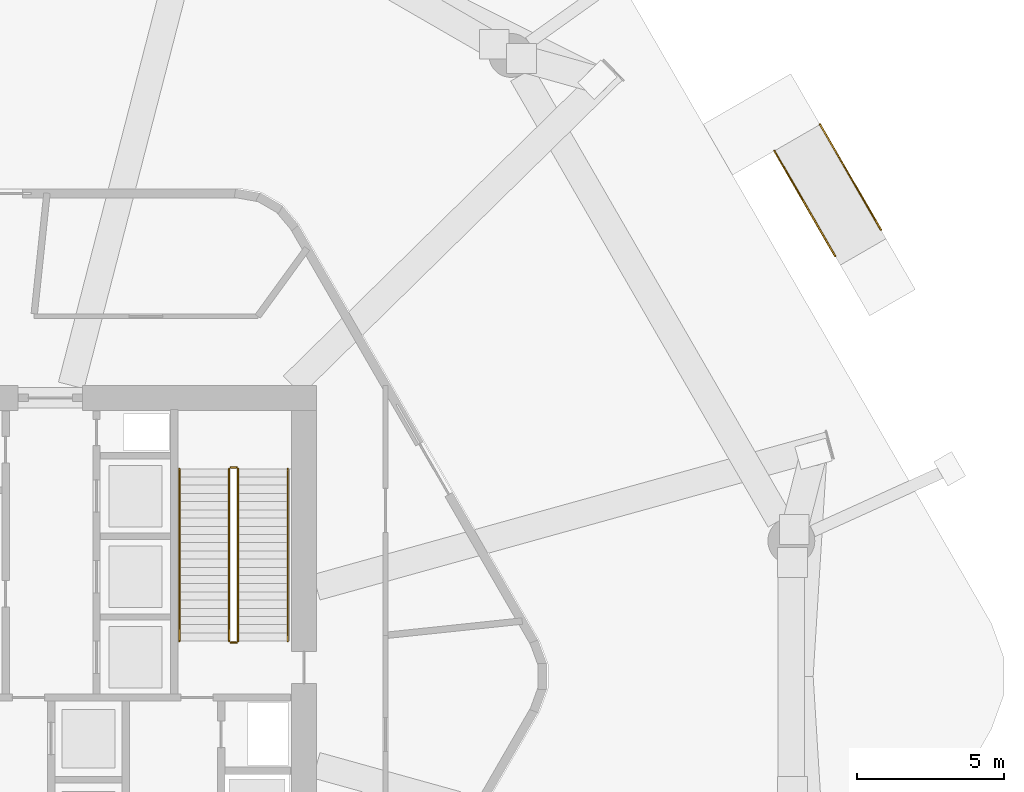
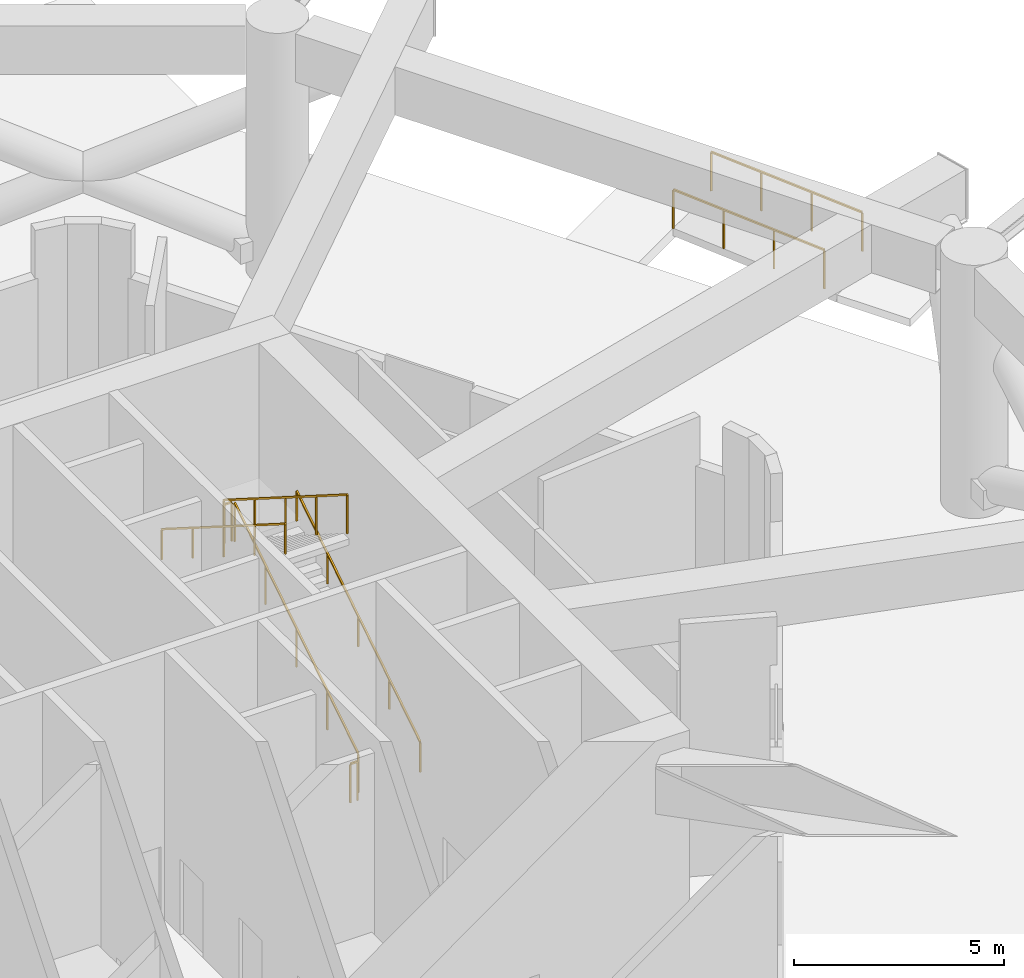
# One storey, part 15 of 17: 8 railings.
"""IFC4 building model written with IfcOpenShell, lengths in metres."""

from ifc_helpers import new_model, si_unit, direction, frame, origin, origin_2d, place, context, subcontext, project, spatial, rectangle, extrude, material, type_object, element, save


model = new_model("IFC4")

# Units and contexts
model_context = context("Model", 3, precision=1e-05, world=origin(), true_north=direction((0.0, 1.0)))
body_context = subcontext(model_context, "Body", "Model", "MODEL_VIEW")
ifc_project = project(units=[si_unit("LENGTHUNIT", "METRE"), si_unit("AREAUNIT", "SQUARE_METRE"), si_unit("VOLUMEUNIT", "CUBIC_METRE"), si_unit("PLANEANGLEUNIT", "RADIAN"), si_unit("MASSUNIT", "GRAM", prefix="KILO")], contexts=[model_context])

# Site, building, storey
site_placement = place(None, origin())
site = spatial("IfcSite", under=ifc_project, at=site_placement, CompositionType="ELEMENT")
building_placement = place(site_placement, origin())
building = spatial("IfcBuilding", under=site, at=building_placement, Name="Zuhravey Tower", CompositionType="ELEMENT")
storey_placement = place(building_placement, origin())
storey = spatial("IfcBuildingStorey", under=building, at=storey_placement, Name="L01", CompositionType="ELEMENT", Elevation=0.0)

# Railings
ifc_material_1 = material(Name="Stainless steel 316 and laminated glass", Category="steel")
railing_type_1 = type_object("IfcRailingType", Name="Balcony & Terrace Guardrail 1150", PredefinedType="BALUSTRADE", material=ifc_material_1)
for number, where, name in (
    (1, (64.62890625, 46.3349609375, -0.300048828125), "L01 Accessible Ramp 01 Handrail L"),
    (2, (66.187744140625, 47.235107421875, -0.300048828125), "L01 Accessible Ramp 01 Handrail R"),
):
    element("IfcRailing", number, at=place(storey_placement, frame(where)), inside=storey, type_object=railing_type_1, Name=name, PredefinedType="BALUSTRADE", context=body_context, shape_type="SweptSolid", body=[
        extrude(rectangle(XDim=0.048095703125, YDim=0.048095703125, at=origin_2d()), frame((-0.0009765625, 0.001708984375, 1.1259765625), z_axis=(-0.498690597145, 0.863775065369, 0.072113277314), x_axis=(-0.86602981871, -0.499992353047, 0.0)), (0.0, 0.0, 1.0), 4.15673828125),
        extrude(rectangle(XDim=0.0419921875, YDim=0.0419921875, at=origin_2d()), origin(), (0.0, 0.0, 1.0), 1.099853515625),
        extrude(rectangle(XDim=0.0419921875, YDim=0.0419921875, at=origin_2d()), frame((-0.691650390625, 1.197998046875, 0.10009765625)), (0.0, 0.0, 1.0), 1.099853515625),
        extrude(rectangle(XDim=0.0419921875, YDim=0.0419921875, at=origin_2d()), frame((-1.38330078125, 2.39599609375, 0.199951171875)), (0.0, 0.0, 1.0), 1.099853515625),
        extrude(rectangle(XDim=0.0419921875, YDim=0.0419921875, at=origin_2d()), frame((-2.074951171875, 3.593994140625, 0.300048828125)), (0.0, 0.0, 1.0), 1.099853515625),
    ])
ifc_material_2 = material(Name="Brushed stainless steel", Category="steel")
railing_type_2 = type_object("IfcRailingType", Name="Stair Wall Handrail 900", PredefinedType="HANDRAIL", material=ifc_material_2)
railing_1_placement = place(storey_placement, frame((45.949951171875, 33.199951171875, 0.17724609375)))
element("IfcRailing", 3, at=railing_1_placement, inside=storey, type_object=railing_type_2, Name="L01 ST2 stair handrail 1", PredefinedType="HANDRAIL", context=body_context, shape_type="SweptSolid", body=[
    extrude(rectangle(XDim=0.048095703125, YDim=0.048095703125, at=origin_2d()), frame((0.0, 0.001708984375, 0.876953125), z_axis=(0.0, 0.844911562809, 0.534906020748), x_axis=(-1.0, 0.0, 0.0)), (0.0, 0.0, 1.0), 6.95556640625),
    extrude(rectangle(XDim=0.0419921875, YDim=0.0419921875, at=origin_2d()), origin(), (0.0, 0.0, 1.0), 0.849853515625),
    extrude(rectangle(XDim=0.0419921875, YDim=0.0419921875, at=origin_2d()), frame((0.0, 1.469970703125, 0.9306640625)), (0.0, 0.0, 1.0), 0.849853515625),
    extrude(rectangle(XDim=0.0419921875, YDim=0.0419921875, at=origin_2d()), frame((0.0, 2.93994140625, 1.861328125)), (0.0, 0.0, 1.0), 0.849853515625),
    extrude(rectangle(XDim=0.0419921875, YDim=0.0419921875, at=origin_2d()), frame((0.0, 4.41015625, 2.7919921875)), (0.0, 0.0, 1.0), 0.849853515625),
    extrude(rectangle(XDim=0.0419921875, YDim=0.0419921875, at=origin_2d()), frame((0.0, 5.880126953125, 3.72265625)), (0.0, 0.0, 1.0), 0.849853515625),
])
railing_2_placement = place(storey_placement, frame((42.25, 39.080078125, 4.077392578125)))
element("IfcRailing", 4, at=railing_2_placement, inside=storey, type_object=railing_type_2, Name="L01 ST2 stair handrail 2", PredefinedType="HANDRAIL", context=body_context, shape_type="SweptSolid", body=[
    extrude(rectangle(XDim=0.048095703125, YDim=0.048095703125, at=origin_2d()), frame((0.0, -0.001708984375, 0.876953125), z_axis=(0.0, -0.844911562809, 0.534906020748), x_axis=(1.0, 0.0, 0.0)), (0.0, 0.0, 1.0), 6.95556640625),
    extrude(rectangle(XDim=0.0419921875, YDim=0.0419921875, at=origin_2d()), origin(), (0.0, 0.0, 1.0), 0.849853515625),
    extrude(rectangle(XDim=0.0419921875, YDim=0.0419921875, at=origin_2d()), frame((0.0, -1.469970703125, 0.9306640625)), (0.0, 0.0, 1.0), 0.849853515625),
    extrude(rectangle(XDim=0.0419921875, YDim=0.0419921875, at=origin_2d()), frame((0.0, -2.93994140625, 1.861328125)), (0.0, 0.0, 1.0), 0.849853515625),
    extrude(rectangle(XDim=0.0419921875, YDim=0.0419921875, at=origin_2d()), frame((0.0, -4.41015625, 2.7919921875)), (0.0, 0.0, 1.0), 0.849853515625),
    extrude(rectangle(XDim=0.0419921875, YDim=0.0419921875, at=origin_2d()), frame((0.0, -5.880126953125, 3.72265625)), (0.0, 0.0, 1.0), 0.849853515625),
])
ifc_material_3 = material(Name="Painted tubular steel", Category="steel")
railing_type_3 = type_object("IfcRailingType", Name="Stair Well Guardrail 1150", PredefinedType="GUARDRAIL", material=ifc_material_3)
railing_3_placement = place(storey_placement, frame((44.25, 33.199951171875, 0.17724609375)))
element("IfcRailing", 5, at=railing_3_placement, inside=storey, type_object=railing_type_3, Name="L01 ST2 stair guard 1", PredefinedType="GUARDRAIL", context=body_context, shape_type="SweptSolid", body=[
    extrude(rectangle(XDim=0.048095703125, YDim=0.048095703125, at=origin_2d()), frame((0.0, 0.001708984375, 1.126953125), z_axis=(0.0, 0.844911562809, 0.534906020748), x_axis=(-1.0, 0.0, 0.0)), (0.0, 0.0, 1.0), 6.95556640625),
    extrude(rectangle(XDim=0.0419921875, YDim=0.0419921875, at=origin_2d()), origin(), (0.0, 0.0, 1.0), 1.099853515625),
    extrude(rectangle(XDim=0.0419921875, YDim=0.0419921875, at=origin_2d()), frame((0.0, 1.469970703125, 0.9306640625)), (0.0, 0.0, 1.0), 1.099853515625),
    extrude(rectangle(XDim=0.0419921875, YDim=0.0419921875, at=origin_2d()), frame((0.0, 2.93994140625, 1.861328125)), (0.0, 0.0, 1.0), 1.099853515625),
    extrude(rectangle(XDim=0.0419921875, YDim=0.0419921875, at=origin_2d()), frame((0.0, 4.41015625, 2.7919921875)), (0.0, 0.0, 1.0), 1.099853515625),
    extrude(rectangle(XDim=0.0419921875, YDim=0.0419921875, at=origin_2d()), frame((0.0, 5.880126953125, 3.72265625)), (0.0, 0.0, 1.0), 1.099853515625),
])
railing_4_placement = place(storey_placement, frame((44.199951171875, 39.1298828125, 3.89990234375)))
element("IfcRailing", 6, at=railing_4_placement, inside=storey, type_object=railing_type_3, Name="L01 ST2 stair guard 2", PredefinedType="GUARDRAIL", context=body_context, shape_type="SweptSolid", body=[
    extrude(rectangle(XDim=0.048095703125, YDim=0.048095703125, at=origin_2d()), frame((-0.001953125, 0.0, 1.1259765625), z_axis=(-1.0, 0.0, 0.0), x_axis=(0.0, -1.0, 0.0)), (0.0, 0.0, 1.0), 0.196044921875),
    extrude(rectangle(XDim=0.0419921875, YDim=0.0419921875, at=origin_2d()), origin(), (0.0, 0.0, 1.0), 1.099853515625),
    extrude(rectangle(XDim=0.0419921875, YDim=0.0419921875, at=origin_2d()), frame((-0.199951171875, 0.0, 0.0)), (0.0, 0.0, 1.0), 1.099853515625),
])
railing_5_placement = place(storey_placement, frame((43.949951171875, 39.080078125, 4.077392578125)))
element("IfcRailing", 7, at=railing_5_placement, inside=storey, type_object=railing_type_3, Name="L01 ST2 stair guard 3", PredefinedType="GUARDRAIL", context=body_context, shape_type="SweptSolid", body=[
    extrude(rectangle(XDim=0.048095703125, YDim=0.048095703125, at=origin_2d()), frame((0.0, -0.001708984375, 1.126953125), z_axis=(0.0, -0.844911562809, 0.534906020748), x_axis=(1.0, 0.0, 0.0)), (0.0, 0.0, 1.0), 6.95556640625),
    extrude(rectangle(XDim=0.0419921875, YDim=0.0419921875, at=origin_2d()), origin(), (0.0, 0.0, 1.0), 1.099853515625),
    extrude(rectangle(XDim=0.0419921875, YDim=0.0419921875, at=origin_2d()), frame((0.0, -1.469970703125, 0.9306640625)), (0.0, 0.0, 1.0), 1.099853515625),
    extrude(rectangle(XDim=0.0419921875, YDim=0.0419921875, at=origin_2d()), frame((0.0, -2.93994140625, 1.861328125)), (0.0, 0.0, 1.0), 1.099853515625),
    extrude(rectangle(XDim=0.0419921875, YDim=0.0419921875, at=origin_2d()), frame((0.0, -4.41015625, 2.7919921875)), (0.0, 0.0, 1.0), 1.099853515625),
    extrude(rectangle(XDim=0.0419921875, YDim=0.0419921875, at=origin_2d()), frame((0.0, -5.880126953125, 3.72265625)), (0.0, 0.0, 1.0), 1.099853515625),
])
railing_6_placement = place(storey_placement, frame((44.199951171875, 33.14990234375, 0.0)))
element("IfcRailing", 8, at=railing_6_placement, inside=storey, type_object=railing_type_3, Name="L01 ST2 stair guard 4", PredefinedType="GUARDRAIL", context=body_context, shape_type="SweptSolid", body=[
    extrude(rectangle(XDim=0.048095703125, YDim=0.048095703125, at=origin_2d()), frame((-0.001953125, 0.0, 1.1259765625), z_axis=(-1.0, 0.0, 0.0), x_axis=(0.0, -1.0, 0.0)), (0.0, 0.0, 1.0), 0.196044921875),
    extrude(rectangle(XDim=0.0419921875, YDim=0.0419921875, at=origin_2d()), origin(), (0.0, 0.0, 1.0), 1.099853515625),
    extrude(rectangle(XDim=0.0419921875, YDim=0.0419921875, at=origin_2d()), frame((-0.199951171875, 0.0, 0.0)), (0.0, 0.0, 1.0), 1.099853515625),
])

save(model, "model.ifc")
